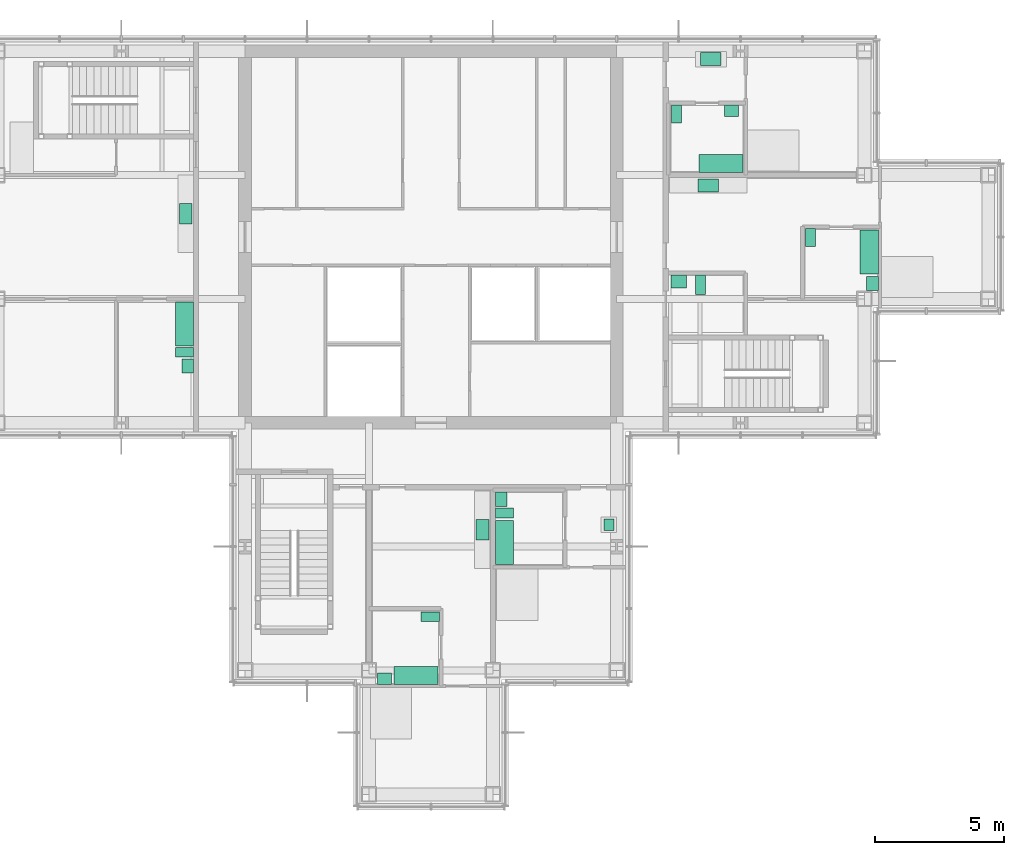
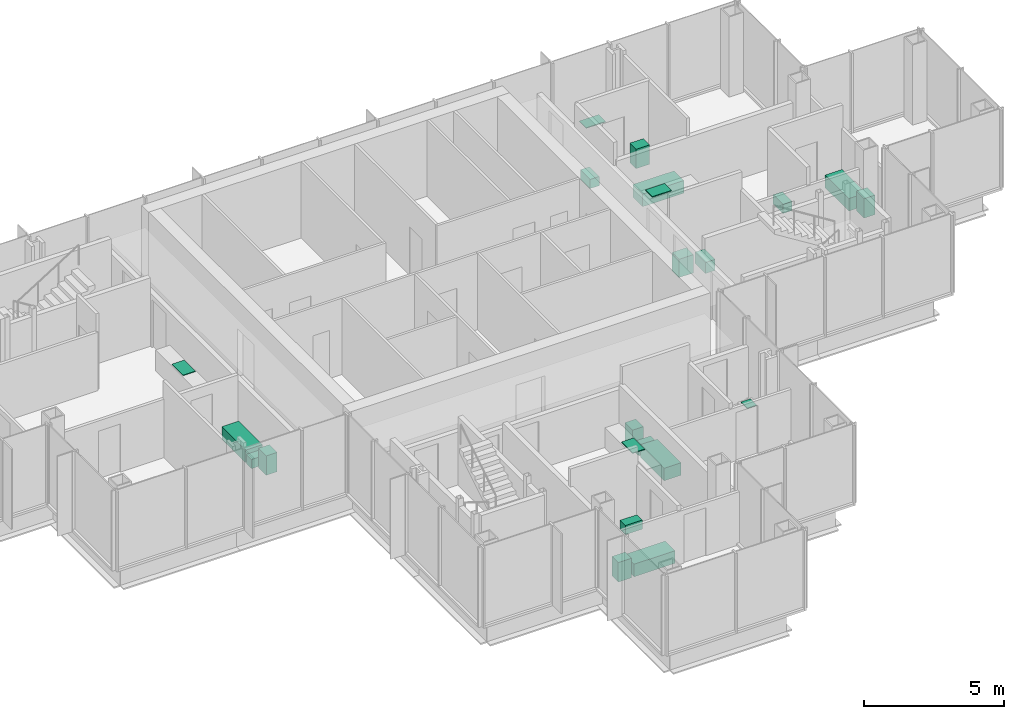
# One storey, part 14 of 15: 22 sanitary terminals.
"""IFC4 building model written with IfcOpenShell, lengths in metres."""

from ifc_helpers import new_model, si_unit, direction, frame, origin, origin_2d, place, context, subcontext, project, spatial, rectangle, extrude, material, type_object, element, save


model = new_model("IFC4")

# Units and contexts
model_context = context("Model", 3, precision=1e-05, world=origin(), true_north=direction((0.0, 1.0)))
body_context = subcontext(model_context, "Body", "Model", "MODEL_VIEW")
ifc_project = project(units=[si_unit("LENGTHUNIT", "METRE"), si_unit("AREAUNIT", "SQUARE_METRE"), si_unit("VOLUMEUNIT", "CUBIC_METRE"), si_unit("PLANEANGLEUNIT", "RADIAN"), si_unit("MASSUNIT", "GRAM", prefix="KILO")], contexts=[model_context])

# Site, building, storey
site_placement = place(None, origin())
site = spatial("IfcSite", under=ifc_project, at=site_placement, CompositionType="ELEMENT")
building_placement = place(site_placement, origin())
building = spatial("IfcBuilding", under=site, at=building_placement, Name="Kvirike Care Tower", CompositionType="ELEMENT")
storey_placement = place(building_placement, frame((0.0, 0.0, 215.5)))
storey = spatial("IfcBuildingStorey", under=building, at=storey_placement, Name="L59", CompositionType="ELEMENT", Elevation=215.5)

# Sanitary terminals
ifc_material_1 = material(Name="Vitreous china", Category="ceramic")
sanitary_terminal_type_1 = type_object("IfcSanitaryTerminalType", Name="ACCESSIBLE WASH BASIN 600 x 500", PredefinedType="WASHHANDBASIN", material=ifc_material_1)
sanitary_terminal_1_placement = place(storey_placement, frame((31.199951171875, 34.27294921875, 0.02001953125), z_axis=(0.0, 0.0, 1.0), x_axis=(1.0, 0.0, 0.0)))
element("IfcSanitaryTerminal", 1, at=sanitary_terminal_1_placement, inside=storey, type_object=sanitary_terminal_type_1, Name="Accessible wash basin L59-021", PredefinedType="WASHHANDBASIN", context=body_context, shape_type="SweptSolid", body=[
    extrude(rectangle(XDim=0.60009765625, YDim=0.5, at=origin_2d()), origin(), (0.0, 0.0, 1.0), 0.800048828125),
])
ifc_material_2 = material(Name="Vitreous china", Category="ceramic")
sanitary_terminal_type_2 = type_object("IfcSanitaryTerminalType", Name="ACCESSIBLE WC PAN 400 x 750", PredefinedType="TOILETPAN", material=ifc_material_2)
sanitary_terminal_2_placement = place(storey_placement, frame((32.050048828125, 34.14794921875, 0.02001953125), z_axis=(0.0, 0.0, 1.0), x_axis=(1.0, 0.0, 0.0)))
element("IfcSanitaryTerminal", 2, at=sanitary_terminal_2_placement, inside=storey, type_object=sanitary_terminal_type_2, Name="Accessible WC pan L59-021", PredefinedType="TOILETPAN", context=body_context, shape_type="SweptSolid", body=[
    extrude(rectangle(XDim=0.39990234375, YDim=0.75, at=origin_2d()), origin(), (0.0, 0.0, 1.0), 0.47998046875),
])
ifc_material_3 = material(Name="Enamelled steel", Category="steel")
sanitary_terminal_type_3 = type_object("IfcSanitaryTerminalType", Name="BATH 1700 x 700", PredefinedType="BATH", material=ifc_material_3)
for number, where, z_axis, x_axis, name in (
    (3, (12.048095703125, 32.625, 0.02001953125), (0.0, 0.0, 1.0), (0.0, -1.0, 0.0), "Bath L59-006"),
    (4, (21.02490234375, 19.011962890625, 0.02001953125), (0.0, 0.0, 1.0), (-1.0, 0.0, 0.0), "Bath L59-012"),
    (5, (24.451904296875, 24.159912109375, 0.02001953125), (0.0, 0.0, 1.0), (0.0, 1.0, 0.0), "Bath L59-015"),
    (6, (38.587890625, 35.425048828125, 0.02001953125), (0.0, 0.0, 1.0), (0.0, -1.0, 0.0), "Bath L59-022"),
    (7, (32.840087890625, 38.85205078125, 0.02001953125), (0.0, 0.0, 1.0), (-1.0, 0.0, 0.0), "Bath L59-025"),
):
    element("IfcSanitaryTerminal", number, at=place(storey_placement, frame(where, z_axis=z_axis, x_axis=x_axis)), inside=storey, type_object=sanitary_terminal_type_3, Name=name, PredefinedType="BATH", context=body_context, shape_type="SweptSolid", body=[
        extrude(rectangle(XDim=1.699951171875, YDim=0.699951171875, at=origin_2d()), origin(), (0.0, 0.0, 1.0), 0.550048828125),
    ])
ifc_material_4 = material(Name="Stainless steel", Category="steel")
sanitary_terminal_type_4 = type_object("IfcSanitaryTerminalType", Name="KITCHEN SINK 450 x 400", PredefinedType="SINK", material=ifc_material_4)
sanitary_terminal_3_placement = place(storey_placement, frame((28.498046875, 24.85009765625, 0.89990234375), z_axis=(0.0, 0.0, 1.0), x_axis=(0.0, -1.0, 0.0)))
element("IfcSanitaryTerminal", 8, at=sanitary_terminal_3_placement, inside=storey, type_object=sanitary_terminal_type_4, Name="Kitchen sink L59-016", PredefinedType="SINK", context=body_context, shape_type="SweptSolid", body=[
    extrude(rectangle(XDim=0.449951171875, YDim=0.39990234375, at=origin_2d()), origin(), (0.0, 0.0, 1.0), 0.030029296875),
])
ifc_material_5 = material(Name="Stainless steel", Category="steel")
sanitary_terminal_type_5 = type_object("IfcSanitaryTerminalType", Name="KITCHEN SINK 800 x 500", PredefinedType="SINK", material=ifc_material_5)
for number, where, z_axis, x_axis, name in (
    (9, (12.097900390625, 36.89990234375, 0.89990234375), (0.0, 0.0, 1.0), (0.0, -1.0, 0.0), "Kitchen sink L59-007"),
    (10, (23.597900390625, 24.64990234375, 0.89990234375), (0.0, 0.0, 1.0), (0.0, -1.0, 0.0), "Kitchen sink L59-013"),
    (11, (32.35009765625, 37.998046875, 0.89990234375), (0.0, 0.0, 1.0), (1.0, 0.0, 0.0), "Kitchen sink L59-023"),
    (12, (32.449951171875, 42.89794921875, 0.89990234375), (0.0, 0.0, 1.0), (1.0, 0.0, 0.0), "Kitchen sink L59-026"),
):
    element("IfcSanitaryTerminal", number, at=place(storey_placement, frame(where, z_axis=z_axis, x_axis=x_axis)), inside=storey, type_object=sanitary_terminal_type_5, Name=name, PredefinedType="SINK", context=body_context, shape_type="SweptSolid", body=[
        extrude(rectangle(XDim=0.800048828125, YDim=0.5, at=origin_2d()), origin(), (0.0, 0.0, 1.0), 0.030029296875),
    ])
ifc_material_6 = material(Name="Vitreous china", Category="ceramic")
sanitary_terminal_type_6 = type_object("IfcSanitaryTerminalType", Name="WASH BASIN 550 x 450", PredefinedType="WASHHANDBASIN", material=ifc_material_6)
for number, where, z_axis, x_axis, name in (
    (13, (12.173095703125, 31.0, 0.02001953125), (0.0, 0.0, 1.0), (0.0, -1.0, 0.0), "Wash basin L59-006"),
    (14, (19.800048828125, 18.886962890625, 0.02001953125), (0.0, 0.0, 1.0), (-1.0, 0.0, 0.0), "Wash basin L59-012"),
    (15, (24.326904296875, 25.8349609375, 0.02001953125), (0.0, 0.0, 1.0), (0.0, 1.0, 0.0), "Wash basin L59-015"),
    (16, (38.712890625, 34.199951171875, 0.02001953125), (0.0, 0.0, 1.0), (0.0, -1.0, 0.0), "Wash basin L59-022"),
    (17, (33.25, 40.89794921875, 0.02001953125), (0.0, 0.0, 1.0), (1.0, 0.0, 0.0), "Wash basin L59-025"),
):
    element("IfcSanitaryTerminal", number, at=place(storey_placement, frame(where, z_axis=z_axis, x_axis=x_axis)), inside=storey, type_object=sanitary_terminal_type_6, Name=name, PredefinedType="WASHHANDBASIN", context=body_context, shape_type="SweptSolid", body=[
        extrude(rectangle(XDim=0.550048828125, YDim=0.449951171875, at=origin_2d()), origin(), (0.0, 0.0, 1.0), 0.85009765625),
    ])
ifc_material_7 = material(Name="Vitreous china", Category="ceramic")
sanitary_terminal_type_7 = type_object("IfcSanitaryTerminalType", Name="WC PAN 380 x 700", PredefinedType="TOILETPAN", material=ifc_material_7)
for number, where, z_axis, x_axis, name in (
    (18, (12.048095703125, 31.534912109375, 0.02001953125), (0.0, 0.0, 1.0), (0.0, -1.0, 0.0), "WC pan L59-006"),
    (19, (21.572998046875, 21.284912109375, 0.02001953125), (0.0, 0.0, 1.0), (0.0, -1.0, 0.0), "WC pan L59-012"),
    (20, (24.451904296875, 25.300048828125, 0.02001953125), (0.0, 0.0, 1.0), (0.0, 1.0, 0.0), "WC pan L59-015"),
    (21, (36.31494140625, 35.972900390625, 0.02001953125), (0.0, 0.0, 1.0), (1.0, 0.0, 0.0), "WC pan L59-022"),
    (22, (31.114990234375, 40.77294921875, 0.02001953125), (0.0, 0.0, 1.0), (1.0, 0.0, 0.0), "WC pan L59-025"),
):
    element("IfcSanitaryTerminal", number, at=place(storey_placement, frame(where, z_axis=z_axis, x_axis=x_axis)), inside=storey, type_object=sanitary_terminal_type_7, Name=name, PredefinedType="TOILETPAN", context=body_context, shape_type="SweptSolid", body=[
        extrude(rectangle(XDim=0.3798828125, YDim=0.699951171875, at=origin_2d()), origin(), (0.0, 0.0, 1.0), 0.39990234375),
    ])

save(model, "model.ifc")
